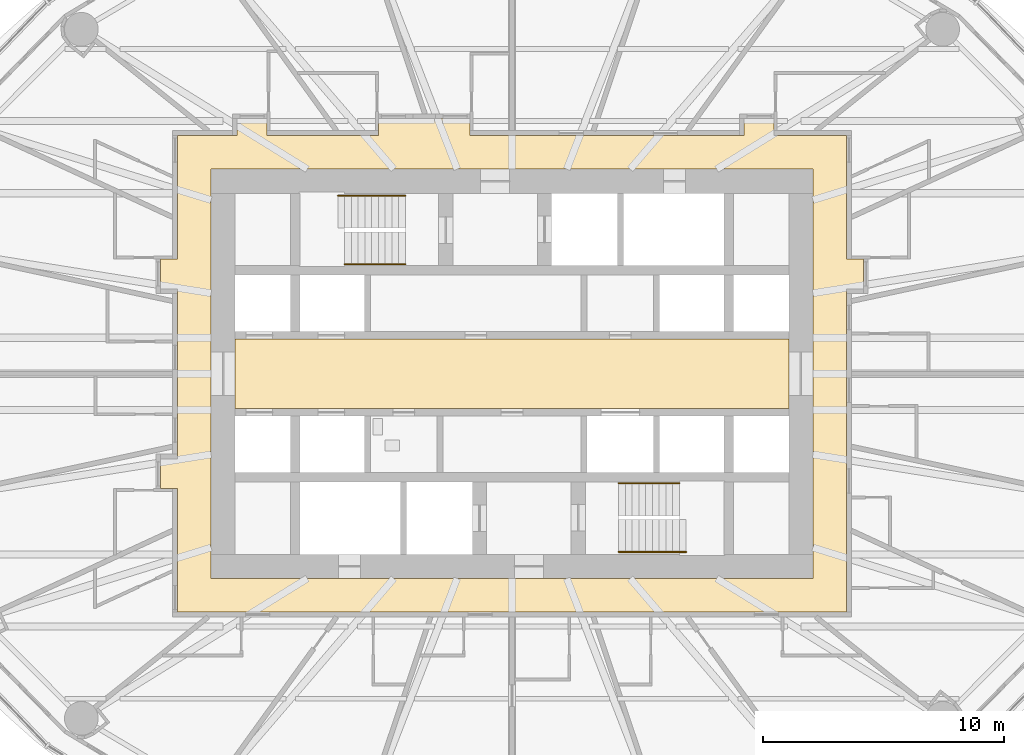
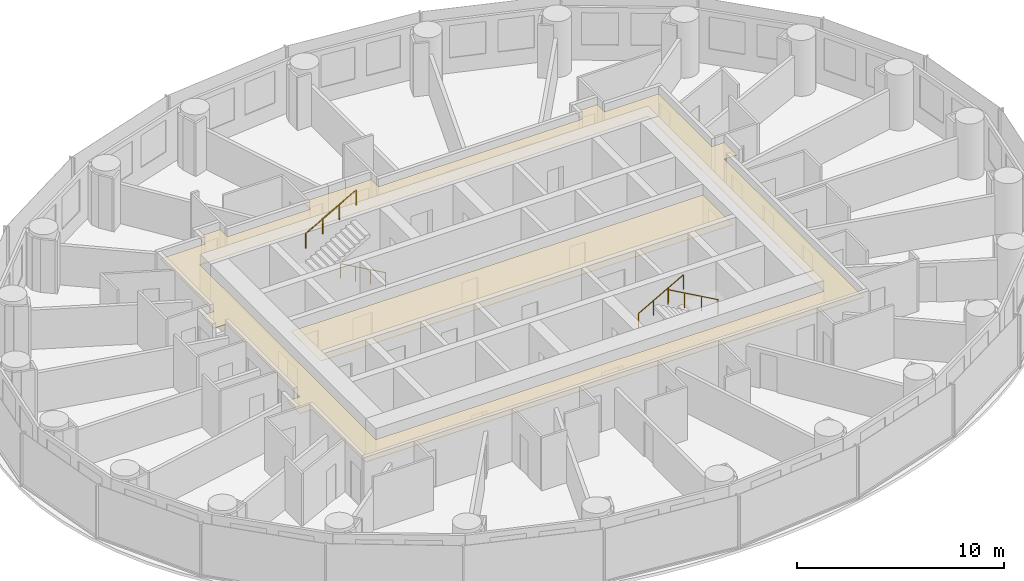
# One storey, part 15 of 16: 4 railings, 2 coverings.
"""IFC4 building model written with IfcOpenShell, lengths in metres."""

from ifc_helpers import new_model, si_unit, direction, frame, origin, origin_2d, place, context, subcontext, project, spatial, polyline, circle, outline, extrude, material, layer, layer_set, type_object, element, save


model = new_model("IFC4")

# Units and contexts
model_context = context("Model", 3, precision=1e-05, world=origin(), true_north=direction((0.0, 1.0)))
body_context = subcontext(model_context, "Body", "Model", "MODEL_VIEW")
ifc_project = project(units=[si_unit("LENGTHUNIT", "METRE"), si_unit("AREAUNIT", "SQUARE_METRE"), si_unit("VOLUMEUNIT", "CUBIC_METRE"), si_unit("PLANEANGLEUNIT", "RADIAN"), si_unit("MASSUNIT", "GRAM", prefix="KILO")], contexts=[model_context])

# Site, building, storey
site_placement = place(None, origin())
site = spatial("IfcSite", under=ifc_project, at=site_placement, CompositionType="ELEMENT")
building_placement = place(site_placement, origin())
building = spatial("IfcBuilding", under=site, at=building_placement, Name="Hankou Lantern Tower", CompositionType="ELEMENT")
storey_placement = place(building_placement, frame((0.0, 0.0, 70.5)))
storey = spatial("IfcBuildingStorey", under=building, at=storey_placement, Name="L17", CompositionType="ELEMENT", Elevation=70.5)

# Coverings
ifc_material_1 = material(Name="Black painted aluminium linear ceiling panels", Category="aluminium")
ifc_layer_1 = layer(ifc_material_1, 0.02490234375)
ifc_layer_set_1 = layer_set([ifc_layer_1], Name="Black painted aluminium linear ceiling panels")
covering_type_1 = type_object("IfcCoveringType", Name="CL1 CORRIDOR CEILING 25", PredefinedType="CEILING", material=ifc_layer_set_1)
covering_1_placement = place(storey_placement, frame((0.0, 0.0, 2.64501953125)))
element("IfcCovering", 1, at=covering_1_placement, inside=storey, type_object=covering_type_1, Name="Corridor ceiling L17", PredefinedType="CEILING", context=body_context, shape_type="SweptSolid", body=[
    extrude(outline(polyline([(-14.60009765625, -4.7724609375), (-13.89990234375, -4.7724609375), (-13.89990234375, -9.89990234375), (13.89990234375, -9.89990234375), (13.89990234375, 3.532470703125), (14.60009765625, 3.532470703125), (14.60009765625, 4.7724609375), (13.89990234375, 4.7724609375), (13.89990234375, 9.89990234375), (10.885009765625, 9.89990234375), (10.885009765625, 10.60009765625), (9.64501953125, 10.60009765625), (9.64501953125, 9.89990234375), (-1.739990234375, 9.89990234375), (-1.739990234375, 10.60009765625), (-5.549072265625, 10.60009765625), (-5.549072265625, 9.89990234375), (-10.178955078125, 9.89990234375), (-10.178955078125, 10.60009765625), (-11.4189453125, 10.60009765625), (-11.4189453125, 9.89990234375), (-13.89990234375, 9.89990234375), (-13.89990234375, 4.7724609375), (-14.60009765625, 4.7724609375), (-14.60009765625, 3.532470703125), (-13.89990234375, 3.532470703125), (-13.89990234375, -3.532470703125), (-14.60009765625, -3.532470703125), (-14.60009765625, -4.7724609375)]), holes=[polyline([(-12.5, 8.5), (12.5, 8.5), (12.5, -8.5), (-12.5, -8.5), (-12.5, 8.5)])]), origin(), (0.0, 0.0, 1.0), 0.02490234375),
])
ifc_material_2 = material(Name="Perforated black aluminium acoustic tray ceiling", Category="aluminium")
ifc_layer_2 = layer(ifc_material_2, 0.014892578125)
ifc_layer_set_2 = layer_set([ifc_layer_2], Name="Perforated black aluminium acoustic tray ceiling")
covering_type_2 = type_object("IfcCoveringType", Name="CL2 LIFT LOBBY CEILING 15", PredefinedType="CEILING", material=ifc_layer_set_2)
covering_2_placement = place(storey_placement, frame((0.0, 0.0, 2.655029296875)))
element("IfcCovering", 2, at=covering_2_placement, inside=storey, type_object=covering_type_2, Name="Lift lobby ceiling L17", PredefinedType="CEILING", context=body_context, shape_type="SweptSolid", body=[
    extrude(outline(polyline([(-11.5, -1.449951171875), (11.5, -1.449951171875), (11.5, 1.449951171875), (-11.5, 1.449951171875), (-11.5, -1.449951171875)])), origin(), (0.0, 0.0, 1.0), 0.014892578125),
])

# Railings
ifc_material_3 = material(Name="Steel handrail", Category="steel")
railing_type = type_object("IfcRailingType", Name="HR1 STAIR HANDRAIL", PredefinedType="HANDRAIL", material=ifc_material_3)
railing_1_placement = place(storey_placement, frame((-4.429931640625, 4.550048828125, 0.89990234375)))
element("IfcRailing", 3, at=railing_1_placement, inside=storey, type_object=railing_type, Name="Handrail stair STA L17 flight 1", PredefinedType="HANDRAIL", context=body_context, shape_type="SweptSolid", body=[
    extrude(circle(Radius=0.02392578125, at=origin_2d()), frame((0.0, 0.0, 0.8759765625), z_axis=(-0.872048945198, 0.0, 0.489418672692), x_axis=(0.0, -1.0, 0.0)), (0.0, 0.0, 1.0), 2.8896484375),
    extrude(circle(Radius=0.02099609375, at=origin_2d()), origin(), (0.0, 0.0, 1.0), 0.851806640625),
    extrude(circle(Radius=0.02099609375, at=origin_2d()), frame((-0.840087890625, 0.0, 0.471435546875)), (0.0, 0.0, 1.0), 0.851806640625),
    extrude(circle(Radius=0.02099609375, at=origin_2d()), frame((-1.679931640625, 0.0, 0.94287109375)), (0.0, 0.0, 1.0), 0.851806640625),
    extrude(circle(Radius=0.02099609375, at=origin_2d()), frame((-2.52001953125, 0.0, 1.414306640625)), (0.0, 0.0, 1.0), 0.851806640625),
])
railing_2_placement = place(storey_placement, frame((-7.22998046875, 7.39990234375, 2.471435546875)))
element("IfcRailing", 4, at=railing_2_placement, inside=storey, type_object=railing_type, Name="Handrail stair STA L17 flight 2", PredefinedType="HANDRAIL", context=body_context, shape_type="SweptSolid", body=[
    extrude(circle(Radius=0.02392578125, at=origin_2d()), frame((0.0, 0.0, 0.8759765625), z_axis=(0.872040151574, 0.0, 0.489434340891), x_axis=(0.0, 1.0, 0.0)), (0.0, 0.0, 1.0), 3.2109375),
    extrude(circle(Radius=0.02099609375, at=origin_2d()), origin(), (0.0, 0.0, 1.0), 0.851806640625),
    extrude(circle(Radius=0.02099609375, at=origin_2d()), frame((0.933349609375, 0.0, 0.52392578125)), (0.0, 0.0, 1.0), 0.851806640625),
    extrude(circle(Radius=0.02099609375, at=origin_2d()), frame((1.86669921875, 0.0, 1.047607421875)), (0.0, 0.0, 1.0), 0.851806640625),
    extrude(circle(Radius=0.02099609375, at=origin_2d()), frame((2.800048828125, 0.0, 1.571533203125)), (0.0, 0.0, 1.0), 0.851806640625),
])
railing_3_placement = place(storey_placement, frame((4.429931640625, -4.550048828125, 0.89990234375)))
element("IfcRailing", 5, at=railing_3_placement, inside=storey, type_object=railing_type, Name="Handrail stair STB L17 flight 1", PredefinedType="HANDRAIL", context=body_context, shape_type="SweptSolid", body=[
    extrude(circle(Radius=0.02392578125, at=origin_2d()), frame((0.0, 0.0, 0.8759765625), z_axis=(0.872048945198, 0.0, 0.489418672692), x_axis=(0.0, 1.0, 0.0)), (0.0, 0.0, 1.0), 2.8896484375),
    extrude(circle(Radius=0.02099609375, at=origin_2d()), origin(), (0.0, 0.0, 1.0), 0.851806640625),
    extrude(circle(Radius=0.02099609375, at=origin_2d()), frame((0.840087890625, 0.0, 0.471435546875)), (0.0, 0.0, 1.0), 0.851806640625),
    extrude(circle(Radius=0.02099609375, at=origin_2d()), frame((1.679931640625, 0.0, 0.94287109375)), (0.0, 0.0, 1.0), 0.851806640625),
    extrude(circle(Radius=0.02099609375, at=origin_2d()), frame((2.52001953125, 0.0, 1.414306640625)), (0.0, 0.0, 1.0), 0.851806640625),
])
railing_4_placement = place(storey_placement, frame((7.22998046875, -7.39990234375, 2.471435546875)))
element("IfcRailing", 6, at=railing_4_placement, inside=storey, type_object=railing_type, Name="Handrail stair STB L17 flight 2", PredefinedType="HANDRAIL", context=body_context, shape_type="SweptSolid", body=[
    extrude(circle(Radius=0.02392578125, at=origin_2d()), frame((0.0, 0.0, 0.8759765625), z_axis=(-0.872040151574, 0.0, 0.489434340891), x_axis=(0.0, -1.0, 0.0)), (0.0, 0.0, 1.0), 3.2109375),
    extrude(circle(Radius=0.02099609375, at=origin_2d()), origin(), (0.0, 0.0, 1.0), 0.851806640625),
    extrude(circle(Radius=0.02099609375, at=origin_2d()), frame((-0.933349609375, 0.0, 0.52392578125)), (0.0, 0.0, 1.0), 0.851806640625),
    extrude(circle(Radius=0.02099609375, at=origin_2d()), frame((-1.86669921875, 0.0, 1.047607421875)), (0.0, 0.0, 1.0), 0.851806640625),
    extrude(circle(Radius=0.02099609375, at=origin_2d()), frame((-2.800048828125, 0.0, 1.571533203125)), (0.0, 0.0, 1.0), 0.851806640625),
])

save(model, "model.ifc")
